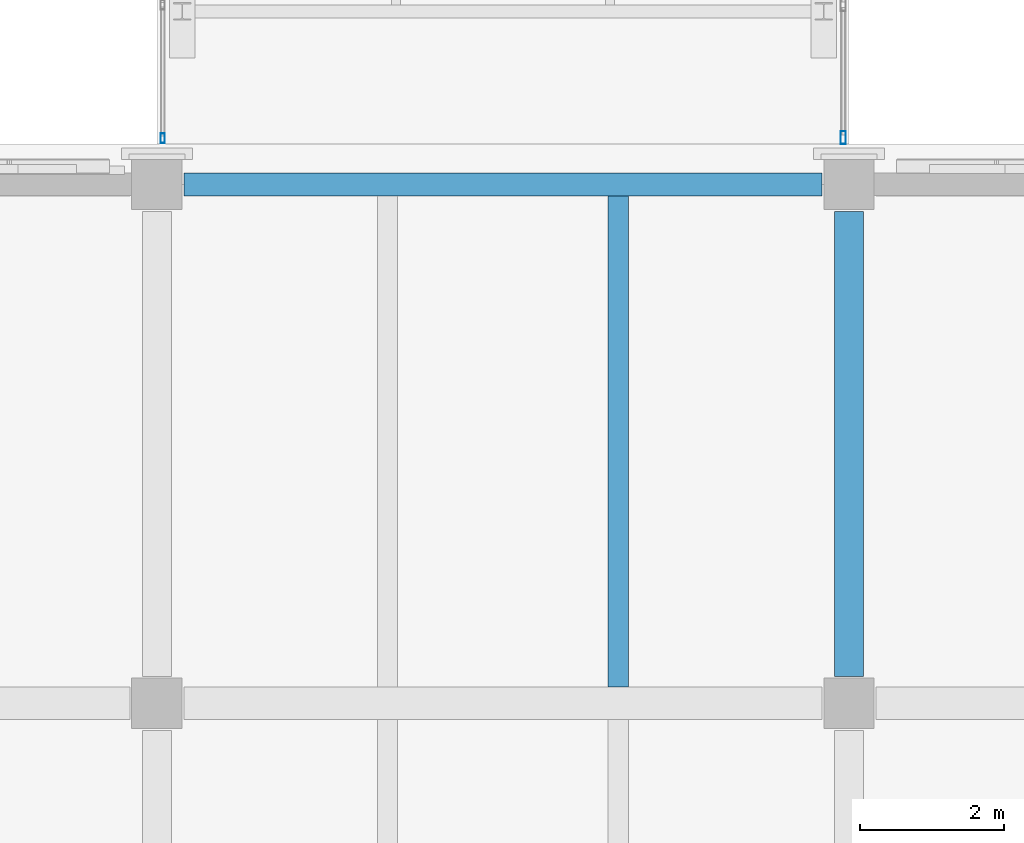
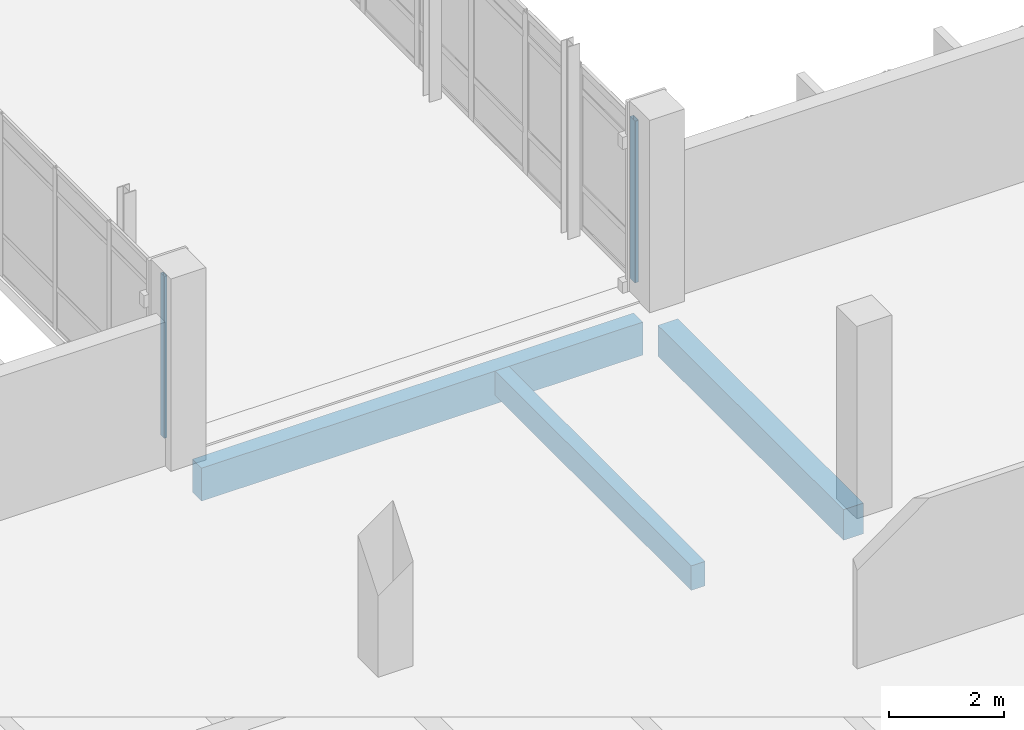
# One storey, part 76 of 180: 3 beams, 2 members, 2 elements without a shape of their own.
"""IFC4 building model written with IfcOpenShell, lengths in metres."""

from ifc_helpers import new_model, si_unit, direction, frame, origin, origin_2d, place, context, subcontext, project, spatial, rectangle, hollow_rectangle, extrude, material, layer, layer_set, material_profile, profile_set, type_object, element, aggregate, save


model = new_model("IFC4")

# Units and contexts
model_context = context("Model", 3, precision=1e-05, world=origin(), true_north=direction((0.0, 1.0)))
body_context = subcontext(model_context, "Body", "Model", "MODEL_VIEW")
ifc_project = project(units=[si_unit("LENGTHUNIT", "METRE"), si_unit("AREAUNIT", "SQUARE_METRE"), si_unit("VOLUMEUNIT", "CUBIC_METRE"), si_unit("PLANEANGLEUNIT", "RADIAN"), si_unit("MASSUNIT", "GRAM", prefix="KILO")], contexts=[model_context])

# Site, building, storey
site_placement = place(None, origin())
site = spatial("IfcSite", under=ifc_project, at=site_placement, CompositionType="ELEMENT")
building_placement = place(site_placement, origin())
building = spatial("IfcBuilding", under=site, at=building_placement, Name="Asteropetra Specialist Clinic", CompositionType="ELEMENT")
storey_placement = place(building_placement, frame((0.0, 0.0, 4.419921875)))
storey = spatial("IfcBuildingStorey", under=building, at=storey_placement, Name="L01", CompositionType="ELEMENT", Elevation=4.419921875)

# Beam
ifc_material_1 = material(Name="Concrete C35/45", Category="concrete")
ifc_material_profile_1 = material_profile(ifc_material_1, rectangle(XDim=0.39990234375, YDim=0.64990234375, at=origin_2d()), Name="RCB 400x650")
ifc_profile_set_1 = profile_set([ifc_material_profile_1], Name="Concrete C35/45")
beam_type_1 = type_object("IfcBeamType", Name="BM-RC400x650", PredefinedType="BEAM", material=ifc_profile_set_1)
beam_1_placement = place(storey_placement, frame((124.800048828125, 55.574951171875, -0.625), z_axis=(0.0, 1.0, 0.0), x_axis=(-1.0, 0.0, 0.0)))
element("IfcBeam", 1, at=beam_1_placement, inside=storey, type_object=beam_type_1, Name="Beam BBM07-0551", PredefinedType="BEAM", context=body_context, shape_type="SweptSolid", body=[
    extrude(rectangle(XDim=0.39990234375, YDim=0.64990234375, at=origin_2d()), origin(), (0.0, 0.0, 1.0), 6.449951171875),
])

# Curtain wall, member
ifc_material_2 = material(Name="Aluminium and low-E glass", Category="aluminium")
ifc_layer_1 = layer(ifc_material_2, 0.135009765625)
ifc_layer_set_1 = layer_set([ifc_layer_1], Name="Aluminium and low-E glass")
curtain_wall_type_1 = type_object("IfcCurtainWallType", Name="CW-SYS-12", PredefinedType="USERDEFINED", material=ifc_layer_set_1)
curtain_wall_1_placement = place(storey_placement, origin())
curtain_wall_1 = element("IfcCurtainWall", 2, at=curtain_wall_1_placement, inside=storey, type_object=curtain_wall_type_1, Name="Curtain Wall CW-119", ObjectType="STICK GLAZED COLONNADE", PredefinedType="USERDEFINED")
ifc_material_3 = material(Name="Aluminium 6063-T6", Category="aluminium")
ifc_material_profile_2 = material_profile(ifc_material_3, hollow_rectangle(XDim=0.06005859375, YDim=0.135009765625, WallThickness=0.00341796875, InnerFilletRadius=0.00341796875, OuterFilletRadius=0.007080078125, at=origin_2d()), Name="MUL 135x60x3.5")
ifc_profile_set_2 = profile_set([ifc_material_profile_2], Name="Aluminium 6063-T6")
member_type_1 = type_object("IfcMemberType", Name="CWM-135x60", PredefinedType="MULLION", material=ifc_profile_set_2)
member_1_placement = place(storey_placement, frame((115.280029296875, 63.0400390625, 0.0), z_axis=(0.0, 0.0, 1.0), x_axis=(-1.0, 0.0, 0.0)))
member_1 = element("IfcMember", 3, at=member_1_placement, type_object=member_type_1, Name="CW-119 mullion 1", PredefinedType="MULLION", context=body_context, shape_type="SweptSolid", body=[
    extrude(hollow_rectangle(XDim=0.06005859375, YDim=0.135009765625, WallThickness=0.00341796875, InnerFilletRadius=0.00341796875, OuterFilletRadius=0.007080078125, at=origin_2d()), origin(), (0.0, 0.0, 1.0), 3.43017578125),
])
aggregate(curtain_wall_1, [member_1])

ifc_material_4 = material(Name="Aluminium and low-E glass", Category="aluminium")
ifc_layer_2 = layer(ifc_material_4, 0.179931640625)
ifc_layer_set_2 = layer_set([ifc_layer_2], Name="Aluminium and low-E glass")
curtain_wall_type_2 = type_object("IfcCurtainWallType", Name="CW-SYS-01", PredefinedType="USERDEFINED", material=ifc_layer_set_2)
curtain_wall_2_placement = place(storey_placement, origin())
curtain_wall_2 = element("IfcCurtainWall", 4, at=curtain_wall_2_placement, inside=storey, type_object=curtain_wall_type_2, Name="Curtain Wall CW-120", ObjectType="UNITISED CURTAIN WALL", PredefinedType="USERDEFINED")
ifc_material_5 = material(Name="Aluminium 6063-T6", Category="aluminium")
ifc_material_profile_3 = material_profile(ifc_material_5, hollow_rectangle(XDim=0.074951171875, YDim=0.179931640625, WallThickness=0.00390625, InnerFilletRadius=0.00390625, OuterFilletRadius=0.008056640625, at=origin_2d()), Name="MUL 180x75x4.0")
ifc_profile_set_3 = profile_set([ifc_material_profile_3], Name="Aluminium 6063-T6")
member_type_2 = type_object("IfcMemberType", Name="CWM-180x75", PredefinedType="MULLION", material=ifc_profile_set_3)
member_2_placement = place(storey_placement, frame((124.719970703125, 63.047607421875, 0.0), z_axis=(0.0, 0.0, 1.0), x_axis=(1.0, 0.0, 0.0)))
member_2 = element("IfcMember", 5, at=member_2_placement, type_object=member_type_2, Name="CW-120 mullion 8", PredefinedType="MULLION", context=body_context, shape_type="SweptSolid", body=[
    extrude(hollow_rectangle(XDim=0.074951171875, YDim=0.179931640625, WallThickness=0.00390625, InnerFilletRadius=0.00390625, OuterFilletRadius=0.008056640625, at=origin_2d()), origin(), (0.0, 0.0, 1.0), 3.43017578125),
])
aggregate(curtain_wall_2, [member_2])

# Beams
ifc_material_6 = material(Name="Concrete C35/45", Category="concrete")
ifc_material_profile_4 = material_profile(ifc_material_6, rectangle(XDim=0.280029296875, YDim=0.52001953125, at=origin_2d()), Name="RCJ 280x520")
ifc_profile_set_4 = profile_set([ifc_material_profile_4], Name="Concrete C35/45")
beam_type_2 = type_object("IfcBeamType", Name="JST-RC280x520", PredefinedType="JOIST", material=ifc_profile_set_4)
beam_2_placement = place(storey_placement, frame((121.60009765625, 55.425048828125, -0.559814453125), z_axis=(0.0, 1.0, 0.0), x_axis=(-1.0, 0.0, 0.0)))
element("IfcBeam", 6, at=beam_2_placement, inside=storey, type_object=beam_type_2, Name="Joist JJST01-0558", PredefinedType="JOIST", context=body_context, shape_type="SweptSolid", body=[
    extrude(rectangle(XDim=0.280029296875, YDim=0.52001953125, at=origin_2d()), origin(), (0.0, 0.0, 1.0), 6.81494140625),
])
ifc_material_7 = material(Name="Concrete C35/45", Category="concrete")
ifc_material_profile_5 = material_profile(ifc_material_7, rectangle(XDim=0.320068359375, YDim=0.699951171875, at=origin_2d()), Name="RCS 320x700")
ifc_profile_set_5 = profile_set([ifc_material_profile_5], Name="Concrete C35/45")
beam_type_3 = type_object("IfcBeamType", Name="SPN-RC320x700", PredefinedType="SPANDREL", material=ifc_profile_set_5)
beam_3_placement = place(storey_placement, frame((115.574951171875, 62.39990234375, -0.64990234375), z_axis=(1.0, 0.0, 0.0), x_axis=(0.0, 1.0, 0.0)))
element("IfcBeam", 7, at=beam_3_placement, inside=storey, type_object=beam_type_3, Name="Beam BSPN02-0437", PredefinedType="SPANDREL", context=body_context, shape_type="SweptSolid", body=[
    extrude(rectangle(XDim=0.320068359375, YDim=0.699951171875, at=origin_2d()), origin(), (0.0, 0.0, 1.0), 8.85009765625),
])

save(model, "model.ifc")
